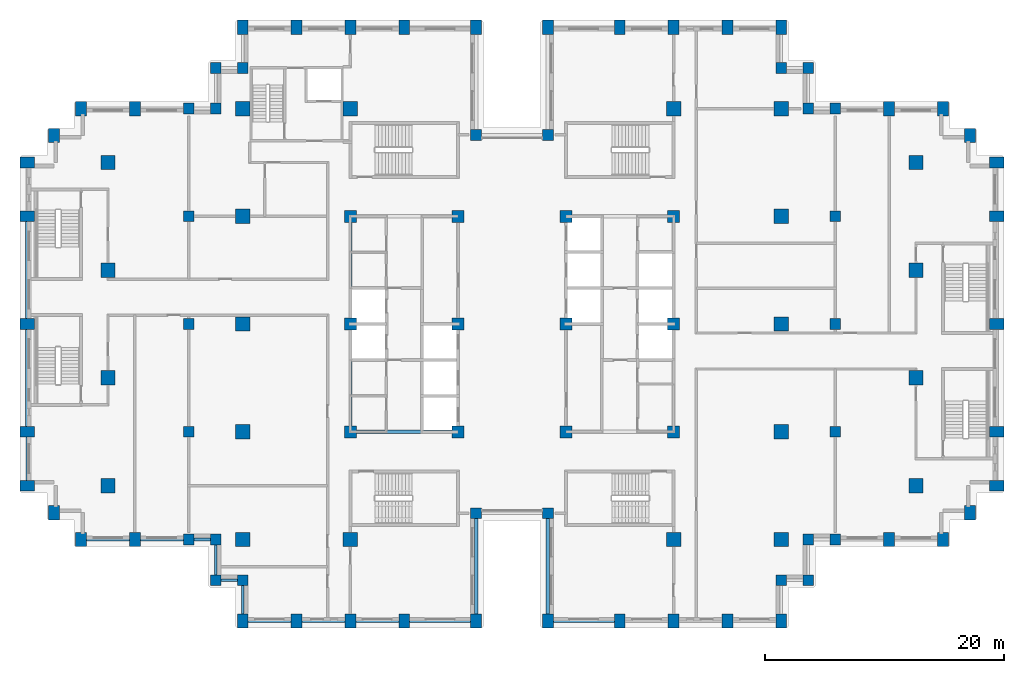
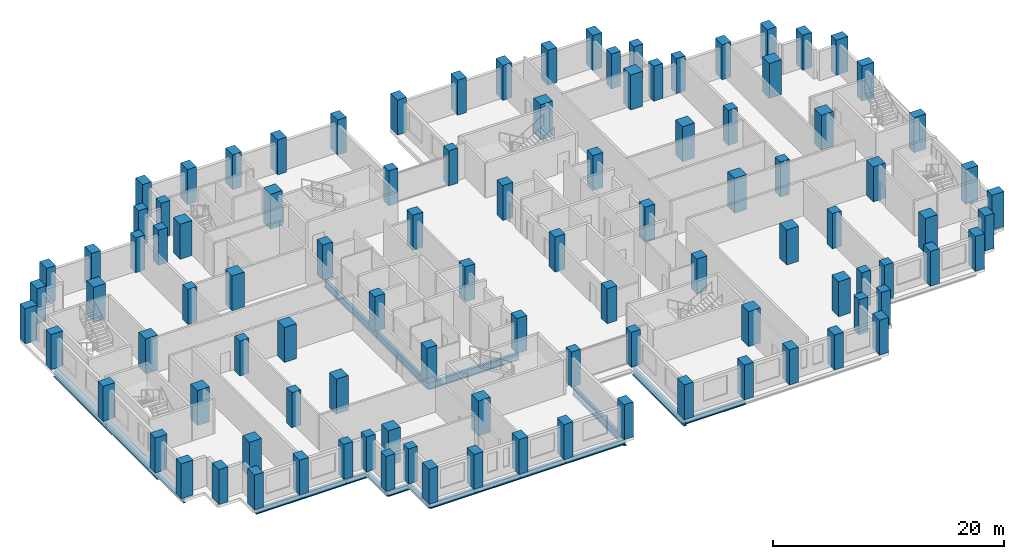
# One storey, part 1 of 15: 102 columns, 19 beams.
"""IFC4 building model written with IfcOpenShell, lengths in metres."""

from ifc_helpers import new_model, si_unit, direction, frame, origin, origin_2d, place, context, subcontext, project, spatial, rectangle, i_section, extrude, material, material_profile, profile_set, type_object, element, save


model = new_model("IFC4")

# Units and contexts
model_context = context("Model", 3, precision=1e-05, world=origin(), true_north=direction((0.0, 1.0)))
body_context = subcontext(model_context, "Body", "Model", "MODEL_VIEW")
ifc_project = project(units=[si_unit("LENGTHUNIT", "METRE"), si_unit("AREAUNIT", "SQUARE_METRE"), si_unit("VOLUMEUNIT", "CUBIC_METRE"), si_unit("PLANEANGLEUNIT", "RADIAN"), si_unit("MASSUNIT", "GRAM", prefix="KILO")], contexts=[model_context])

# Site, building, storey
site_placement = place(None, origin())
site = spatial("IfcSite", under=ifc_project, at=site_placement, CompositionType="ELEMENT")
building_placement = place(site_placement, origin())
building = spatial("IfcBuilding", under=site, at=building_placement, Name="Corbelhall Arena Tower", CompositionType="ELEMENT")
storey_placement = place(building_placement, frame((0.0, 0.0, 88.0)))
storey = spatial("IfcBuildingStorey", under=building, at=storey_placement, Name="L14", CompositionType="ELEMENT", Elevation=88.0)

# Columns
ifc_material_1 = material(Name="Concrete C80/95", Category="concrete")
ifc_material_profile_1 = material_profile(ifc_material_1, rectangle(XDim=1.0, YDim=1.0, at=origin_2d()))
ifc_profile_set_1 = profile_set([ifc_material_profile_1], Name="Concrete C80/95")
column_type_1 = type_object("IfcColumnType", Name="ST-COL-RC 1000x1000", PredefinedType="COLUMN", material=ifc_profile_set_1)
for number, where, z_axis, x_axis, name in (
    (1, (4.5, 0.0, 0.0), (0.0, 0.0, 1.0), (1.0, 0.0, 0.0), "Column KE+0450+0000"),
    (2, (4.5, 9.0, 0.0), (0.0, 0.0, 1.0), (1.0, 0.0, 0.0), "Column KE+0450+0900"),
    (3, (4.5, -9.0, 0.0), (0.0, 0.0, 1.0), (1.0, 0.0, 0.0), "Column KE+0450-0900"),
    (4, (13.5, 0.0, 0.0), (0.0, 0.0, 1.0), (1.0, 0.0, 0.0), "Column KE+1350+0000"),
    (5, (13.5, 9.0, 0.0), (0.0, 0.0, 1.0), (1.0, 0.0, 0.0), "Column KE+1350+0900"),
    (6, (13.5, -9.0, 0.0), (0.0, 0.0, 1.0), (1.0, 0.0, 0.0), "Column KE+1350-0900"),
    (7, (-4.5, 0.0, 0.0), (0.0, 0.0, 1.0), (1.0, 0.0, 0.0), "Column KW-0450+0000"),
    (8, (-4.5, 9.0, 0.0), (0.0, 0.0, 1.0), (1.0, 0.0, 0.0), "Column KW-0450+0900"),
    (9, (-4.5, -9.0, 0.0), (0.0, 0.0, 1.0), (1.0, 0.0, 0.0), "Column KW-0450-0900"),
    (10, (-13.5, 0.0, 0.0), (0.0, 0.0, 1.0), (1.0, 0.0, 0.0), "Column KW-1350+0000"),
    (11, (-13.5, 9.0, 0.0), (0.0, 0.0, 1.0), (1.0, 0.0, 0.0), "Column KW-1350+0900"),
    (12, (-13.5, -9.0, 0.0), (0.0, 0.0, 1.0), (1.0, 0.0, 0.0), "Column KW-1350-0900"),
):
    element("IfcColumn", number, at=place(storey_placement, frame(where, z_axis=z_axis, x_axis=x_axis)), inside=storey, type_object=column_type_1, Name=name, PredefinedType="COLUMN", context=body_context, shape_type="SweptSolid", body=[
        extrude(rectangle(XDim=1.0, YDim=1.0, at=origin_2d()), origin(), (0.0, 0.0, 1.0), 3.699951171875),
    ])
ifc_material_profile_2 = material_profile(ifc_material_1, rectangle(XDim=1.199951171875, YDim=1.199951171875, at=origin_2d()))
ifc_profile_set_2 = profile_set([ifc_material_profile_2], Name="Concrete C80/95")
column_type_2 = type_object("IfcColumnType", Name="ST-COL-RC 1200x1200", PredefinedType="COLUMN", material=ifc_profile_set_2)
for number, where, z_axis, x_axis, name in (
    (13, (-33.75, 4.5, 0.0), (0.0, 0.0, 1.0), (1.0, 0.0, 0.0), "Column FIC+0450"),
    (14, (-33.75, 13.5, 0.0), (0.0, 0.0, 1.0), (1.0, 0.0, 0.0), "Column FIC+1350"),
    (15, (-33.75, -4.5, 0.0), (0.0, 0.0, 1.0), (1.0, 0.0, 0.0), "Column FIC-0450"),
    (16, (-33.75, -13.5, 0.0), (0.0, 0.0, 1.0), (1.0, 0.0, 0.0), "Column FIC-1350"),
    (17, (33.75, 4.5, 0.0), (0.0, 0.0, 1.0), (1.0, 0.0, 0.0), "Column FID+0450"),
    (18, (33.75, 13.5, 0.0), (0.0, 0.0, 1.0), (1.0, 0.0, 0.0), "Column FID+1350"),
    (19, (33.75, -4.5, 0.0), (0.0, 0.0, 1.0), (1.0, 0.0, 0.0), "Column FID-0450"),
    (20, (33.75, -13.5, 0.0), (0.0, 0.0, 1.0), (1.0, 0.0, 0.0), "Column FID-1350"),
    (21, (13.5, 18.0, 0.0), (0.0, 0.0, 1.0), (1.0, 0.0, 0.0), "Column IE13+1800"),
    (22, (13.5, -18.0, 0.0), (0.0, 0.0, 1.0), (1.0, 0.0, 0.0), "Column IE13-1800"),
    (23, (22.5, 0.0, 0.0), (0.0, 0.0, 1.0), (1.0, 0.0, 0.0), "Column IE22+0000"),
    (24, (22.5, 9.0, 0.0), (0.0, 0.0, 1.0), (1.0, 0.0, 0.0), "Column IE22+0900"),
    (25, (22.5, 18.0, 0.0), (0.0, 0.0, 1.0), (1.0, 0.0, 0.0), "Column IE22+1800"),
    (26, (22.5, -9.0, 0.0), (0.0, 0.0, 1.0), (1.0, 0.0, 0.0), "Column IE22-0900"),
    (27, (22.5, -18.0, 0.0), (0.0, 0.0, 1.0), (1.0, 0.0, 0.0), "Column IE22-1800"),
    (28, (-13.5, 18.0, 0.0), (0.0, 0.0, 1.0), (1.0, 0.0, 0.0), "Column IW13+1800"),
    (29, (-13.5, -18.0, 0.0), (0.0, 0.0, 1.0), (1.0, 0.0, 0.0), "Column IW13-1800"),
    (30, (-22.5, 0.0, 0.0), (0.0, 0.0, 1.0), (1.0, 0.0, 0.0), "Column IW22+0000"),
    (31, (-22.5, 9.0, 0.0), (0.0, 0.0, 1.0), (1.0, 0.0, 0.0), "Column IW22+0900"),
    (32, (-22.5, 18.0, 0.0), (0.0, 0.0, 1.0), (1.0, 0.0, 0.0), "Column IW22+1800"),
    (33, (-22.5, -9.0, 0.0), (0.0, 0.0, 1.0), (1.0, 0.0, 0.0), "Column IW22-0900"),
    (34, (-22.5, -18.0, 0.0), (0.0, 0.0, 1.0), (1.0, 0.0, 0.0), "Column IW22-1800"),
):
    element("IfcColumn", number, at=place(storey_placement, frame(where, z_axis=z_axis, x_axis=x_axis)), inside=storey, type_object=column_type_2, Name=name, PredefinedType="COLUMN", context=body_context, shape_type="SweptSolid", body=[
        extrude(rectangle(XDim=1.199951171875, YDim=1.199951171875, at=origin_2d()), origin(), (0.0, 0.0, 1.0), 3.699951171875),
    ])
ifc_material_profile_3 = material_profile(ifc_material_1, rectangle(XDim=0.89990234375, YDim=1.199951171875, at=origin_2d()))
ifc_profile_set_3 = profile_set([ifc_material_profile_3], Name="Concrete C80/95")
column_type_3 = type_object("IfcColumnType", Name="ST-COL-RC 900x1200", PredefinedType="COLUMN", material=ifc_profile_set_3)
for number, where, z_axis, x_axis, name in (
    (35, (-40.5, 0.0, 0.0), (0.0, 0.0, 1.0), (0.0, 1.0, 0.0), "Column FC+0000"),
    (36, (-40.5, 9.0, 0.0), (0.0, 0.0, 1.0), (0.0, 1.0, 0.0), "Column FC+0900"),
    (37, (-40.5, 13.5, 0.0), (0.0, 0.0, 1.0), (0.0, 1.0, 0.0), "Column FC+1350"),
    (38, (-40.5, -9.0, 0.0), (0.0, 0.0, 1.0), (0.0, 1.0, 0.0), "Column FC-0900"),
    (39, (-40.5, -13.5, 0.0), (0.0, 0.0, 1.0), (0.0, 1.0, 0.0), "Column FC-1350"),
    (40, (-38.25, 15.75, 0.0), (0.0, 0.0, 1.0), (1.0, 0.0, 0.0), "Column FCCN"),
    (41, (-38.25, -15.75, 0.0), (0.0, 0.0, 1.0), (1.0, 0.0, 0.0), "Column FCCS"),
    (42, (-31.5, 18.0, 0.0), (0.0, 0.0, 1.0), (1.0, 0.0, 0.0), "Column FCN3150"),
    (43, (-36.0, 18.0, 0.0), (0.0, 0.0, 1.0), (1.0, 0.0, 0.0), "Column FCN3600"),
    (44, (-31.5, -18.0, 0.0), (0.0, 0.0, 1.0), (1.0, 0.0, 0.0), "Column FCS3150"),
    (45, (-36.0, -18.0, 0.0), (0.0, 0.0, 1.0), (1.0, 0.0, 0.0), "Column FCS3600"),
    (46, (40.5, 0.0, 0.0), (0.0, 0.0, 1.0), (0.0, 1.0, 0.0), "Column FD+0000"),
    (47, (40.5, 9.0, 0.0), (0.0, 0.0, 1.0), (0.0, 1.0, 0.0), "Column FD+0900"),
    (48, (40.5, 13.5, 0.0), (0.0, 0.0, 1.0), (0.0, 1.0, 0.0), "Column FD+1350"),
    (49, (40.5, -9.0, 0.0), (0.0, 0.0, 1.0), (0.0, 1.0, 0.0), "Column FD-0900"),
    (50, (40.5, -13.5, 0.0), (0.0, 0.0, 1.0), (0.0, 1.0, 0.0), "Column FD-1350"),
    (51, (38.25, 15.75, 0.0), (0.0, 0.0, 1.0), (1.0, 0.0, 0.0), "Column FDCN"),
    (52, (38.25, -15.75, 0.0), (0.0, 0.0, 1.0), (1.0, 0.0, 0.0), "Column FDCS"),
    (53, (31.5, 18.0, 0.0), (0.0, 0.0, 1.0), (1.0, 0.0, 0.0), "Column FDN3150"),
    (54, (36.0, 18.0, 0.0), (0.0, 0.0, 1.0), (1.0, 0.0, 0.0), "Column FDN3600"),
    (55, (31.5, -18.0, 0.0), (0.0, 0.0, 1.0), (1.0, 0.0, 0.0), "Column FDS3150"),
    (56, (36.0, -18.0, 0.0), (0.0, 0.0, 1.0), (1.0, 0.0, 0.0), "Column FDS3600"),
    (57, (3.0, 24.800048828125, 0.0), (0.0, 0.0, 1.0), (1.0, 0.0, 0.0), "Column PNE0300"),
    (58, (9.0, 24.800048828125, 0.0), (0.0, 0.0, 1.0), (1.0, 0.0, 0.0), "Column PNE0900"),
    (59, (13.5, 24.800048828125, 0.0), (0.0, 0.0, 1.0), (1.0, 0.0, 0.0), "Column PNE1350"),
    (60, (18.0, 24.800048828125, 0.0), (0.0, 0.0, 1.0), (1.0, 0.0, 0.0), "Column PNE1800"),
    (61, (22.5, 24.800048828125, 0.0), (0.0, 0.0, 1.0), (1.0, 0.0, 0.0), "Column PNE2250"),
    (62, (-3.0, 24.800048828125, 0.0), (0.0, 0.0, 1.0), (1.0, 0.0, 0.0), "Column PNW0300"),
    (63, (-9.0, 24.800048828125, 0.0), (0.0, 0.0, 1.0), (1.0, 0.0, 0.0), "Column PNW0900"),
    (64, (-13.5, 24.800048828125, 0.0), (0.0, 0.0, 1.0), (1.0, 0.0, 0.0), "Column PNW1350"),
    (65, (-18.0, 24.800048828125, 0.0), (0.0, 0.0, 1.0), (1.0, 0.0, 0.0), "Column PNW1800"),
    (66, (-22.5, 24.800048828125, 0.0), (0.0, 0.0, 1.0), (1.0, 0.0, 0.0), "Column PNW2250"),
    (67, (3.0, -24.800048828125, 0.0), (0.0, 0.0, 1.0), (1.0, 0.0, 0.0), "Column PSE0300"),
    (68, (9.0, -24.800048828125, 0.0), (0.0, 0.0, 1.0), (1.0, 0.0, 0.0), "Column PSE0900"),
    (69, (13.5, -24.800048828125, 0.0), (0.0, 0.0, 1.0), (1.0, 0.0, 0.0), "Column PSE1350"),
    (70, (18.0, -24.800048828125, 0.0), (0.0, 0.0, 1.0), (1.0, 0.0, 0.0), "Column PSE1800"),
    (71, (22.5, -24.800048828125, 0.0), (0.0, 0.0, 1.0), (1.0, 0.0, 0.0), "Column PSE2250"),
    (72, (-3.0, -24.800048828125, 0.0), (0.0, 0.0, 1.0), (1.0, 0.0, 0.0), "Column PSW0300"),
    (73, (-9.0, -24.800048828125, 0.0), (0.0, 0.0, 1.0), (1.0, 0.0, 0.0), "Column PSW0900"),
    (74, (-13.5, -24.800048828125, 0.0), (0.0, 0.0, 1.0), (1.0, 0.0, 0.0), "Column PSW1350"),
    (75, (-18.0, -24.800048828125, 0.0), (0.0, 0.0, 1.0), (1.0, 0.0, 0.0), "Column PSW1800"),
    (76, (-22.5, -24.800048828125, 0.0), (0.0, 0.0, 1.0), (1.0, 0.0, 0.0), "Column PSW2250"),
):
    element("IfcColumn", number, at=place(storey_placement, frame(where, z_axis=z_axis, x_axis=x_axis)), inside=storey, type_object=column_type_3, Name=name, PredefinedType="COLUMN", context=body_context, shape_type="SweptSolid", body=[
        extrude(rectangle(XDim=0.89990234375, YDim=1.199951171875, at=origin_2d()), origin(), (0.0, 0.0, 1.0), 3.699951171875),
    ])
ifc_material_profile_4 = material_profile(ifc_material_1, rectangle(XDim=0.89990234375, YDim=0.89990234375, at=origin_2d()))
ifc_profile_set_4 = profile_set([ifc_material_profile_4], Name="Concrete C80/95")
column_type_4 = type_object("IfcColumnType", Name="ST-COL-RC 900x900", PredefinedType="COLUMN", material=ifc_profile_set_4)
for number, where, z_axis, x_axis, name in (
    (77, (27.0, 0.0, 0.0), (0.0, 0.0, 1.0), (1.0, 0.0, 0.0), "Column PE+0000"),
    (78, (27.0, 9.0, 0.0), (0.0, 0.0, 1.0), (1.0, 0.0, 0.0), "Column PE+0900"),
    (79, (27.0, 18.0, 0.0), (0.0, 0.0, 1.0), (1.0, 0.0, 0.0), "Column PE+1800"),
    (80, (27.0, -9.0, 0.0), (0.0, 0.0, 1.0), (1.0, 0.0, 0.0), "Column PE-0900"),
    (81, (27.0, -18.0, 0.0), (0.0, 0.0, 1.0), (1.0, 0.0, 0.0), "Column PE-1800"),
    (82, (-27.0, 0.0, 0.0), (0.0, 0.0, 1.0), (1.0, 0.0, 0.0), "Column PW+0000"),
    (83, (-27.0, 9.0, 0.0), (0.0, 0.0, 1.0), (1.0, 0.0, 0.0), "Column PW+0900"),
    (84, (-27.0, 18.0, 0.0), (0.0, 0.0, 1.0), (1.0, 0.0, 0.0), "Column PW+1800"),
    (85, (-27.0, -9.0, 0.0), (0.0, 0.0, 1.0), (1.0, 0.0, 0.0), "Column PW-0900"),
    (86, (-27.0, -18.0, 0.0), (0.0, 0.0, 1.0), (1.0, 0.0, 0.0), "Column PW-1800"),
    (87, (3.0, 15.800048828125, 0.0), (0.0, 0.0, 1.0), (1.0, 0.0, 0.0), "Column SLNE2"),
    (88, (-3.0, 15.800048828125, 0.0), (0.0, 0.0, 1.0), (1.0, 0.0, 0.0), "Column SLNW2"),
    (89, (3.0, -15.800048828125, 0.0), (0.0, 0.0, 1.0), (1.0, 0.0, 0.0), "Column SLSE2"),
    (90, (-3.0, -15.800048828125, 0.0), (0.0, 0.0, 1.0), (1.0, 0.0, 0.0), "Column SLSW2"),
    (91, (22.5, 21.39990234375, 0.0), (0.0, 0.0, 1.0), (1.0, 0.0, 0.0), "Column XNE1"),
    (92, (24.75, 21.39990234375, 0.0), (0.0, 0.0, 1.0), (1.0, 0.0, 0.0), "Column XNE2"),
    (93, (24.75, 18.0, 0.0), (0.0, 0.0, 1.0), (1.0, 0.0, 0.0), "Column XNE3"),
    (94, (-22.5, 21.39990234375, 0.0), (0.0, 0.0, 1.0), (1.0, 0.0, 0.0), "Column XNW1"),
    (95, (-24.75, 21.39990234375, 0.0), (0.0, 0.0, 1.0), (1.0, 0.0, 0.0), "Column XNW2"),
    (96, (-24.75, 18.0, 0.0), (0.0, 0.0, 1.0), (1.0, 0.0, 0.0), "Column XNW3"),
    (97, (22.5, -21.39990234375, 0.0), (0.0, 0.0, 1.0), (1.0, 0.0, 0.0), "Column XSE1"),
    (98, (24.75, -21.39990234375, 0.0), (0.0, 0.0, 1.0), (1.0, 0.0, 0.0), "Column XSE2"),
    (99, (24.75, -18.0, 0.0), (0.0, 0.0, 1.0), (1.0, 0.0, 0.0), "Column XSE3"),
    (100, (-22.5, -21.39990234375, 0.0), (0.0, 0.0, 1.0), (1.0, 0.0, 0.0), "Column XSW1"),
    (101, (-24.75, -21.39990234375, 0.0), (0.0, 0.0, 1.0), (1.0, 0.0, 0.0), "Column XSW2"),
    (102, (-24.75, -18.0, 0.0), (0.0, 0.0, 1.0), (1.0, 0.0, 0.0), "Column XSW3"),
):
    element("IfcColumn", number, at=place(storey_placement, frame(where, z_axis=z_axis, x_axis=x_axis)), inside=storey, type_object=column_type_4, Name=name, PredefinedType="COLUMN", context=body_context, shape_type="SweptSolid", body=[
        extrude(rectangle(XDim=0.89990234375, YDim=0.89990234375, at=origin_2d()), origin(), (0.0, 0.0, 1.0), 3.699951171875),
    ])

# Beams
ifc_material_2 = material(Name="Steel ASTM A992 Gr50", Category="steel")
ifc_material_profile_5 = material_profile(ifc_material_2, i_section(OverallWidth=0.2666015625, OverallDepth=0.761962890625, WebThickness=0.014404296875, FlangeThickness=0.021484375, at=origin_2d()))
ifc_profile_set_5 = profile_set([ifc_material_profile_5], Name="Steel ASTM A992 Gr50")
beam_type_1 = type_object("IfcBeamType", Name="ST-BEAM-W30x116", PredefinedType="BEAM", material=ifc_profile_set_5)
for number, where, z_axis, x_axis, name in (
    (103, (-13.5, -9.0, -0.680908203125), (0.0, 1.0, 0.0), (-1.0, 0.0, 0.0), "Beam CEW 1"),
    (104, (-13.5, 0.0, -0.680908203125), (0.0, 1.0, 0.0), (-1.0, 0.0, 0.0), "Beam CEW 2"),
    (105, (-13.5, -9.0, -0.680908203125), (1.0, 0.0, 0.0), (0.0, 1.0, 0.0), "Beam CEW 5"),
):
    element("IfcBeam", number, at=place(storey_placement, frame(where, z_axis=z_axis, x_axis=x_axis)), inside=storey, type_object=beam_type_1, Name=name, PredefinedType="BEAM", context=body_context, shape_type="SweptSolid", body=[
        extrude(i_section(OverallWidth=0.2666015625, OverallDepth=0.761962890625, WebThickness=0.014404296875, FlangeThickness=0.021484375, at=origin_2d()), origin(), (0.0, 0.0, 1.0), 9.0),
    ])
ifc_material_profile_6 = material_profile(ifc_material_2, i_section(OverallWidth=0.23046875, OverallDepth=0.6171875, WebThickness=0.01318359375, FlangeThickness=0.022216796875, at=origin_2d()))
ifc_profile_set_6 = profile_set([ifc_material_profile_6], Name="Steel ASTM A992 Gr50")
beam_type_2 = type_object("IfcBeamType", Name="ST-SPANDREL-W24x94", PredefinedType="SPANDREL", material=ifc_profile_set_6)
for number, where, z_axis, x_axis, name in (
    (106, (-40.5, -13.5, -0.608642578125), (0.0, 1.0, 0.0), (-1.0, 0.0, 0.0), "Beam SP 4"),
    (107, (-31.5, -18.0, -0.608642578125), (-1.0, 0.0, 0.0), (0.0, -1.0, 0.0), "Beam SP 7"),
):
    element("IfcBeam", number, at=place(storey_placement, frame(where, z_axis=z_axis, x_axis=x_axis)), inside=storey, type_object=beam_type_2, Name=name, PredefinedType="SPANDREL", context=body_context, shape_type="SweptSolid", body=[
        extrude(i_section(OverallWidth=0.23046875, OverallDepth=0.6171875, WebThickness=0.01318359375, FlangeThickness=0.022216796875, at=origin_2d()), origin(), (0.0, 0.0, 1.0), 4.5),
    ])
for number, where, z_axis, x_axis, name in (
    (108, (9.0, -24.800048828125, -0.608642578125), (-1.0, 0.0, 0.0), (0.0, -1.0, 0.0), "Beam SP 28"),
    (109, (-3.0, -24.800048828125, -0.608642578125), (-1.0, 0.0, 0.0), (0.0, -1.0, 0.0), "Beam SP 32"),
):
    element("IfcBeam", number, at=place(storey_placement, frame(where, z_axis=z_axis, x_axis=x_axis)), inside=storey, type_object=beam_type_2, Name=name, PredefinedType="SPANDREL", context=body_context, shape_type="SweptSolid", body=[
        extrude(i_section(OverallWidth=0.23046875, OverallDepth=0.6171875, WebThickness=0.01318359375, FlangeThickness=0.022216796875, at=origin_2d()), origin(), (0.0, 0.0, 1.0), 6.0),
    ])
for number, where, z_axis, x_axis, name in (
    (110, (-9.0, -24.800048828125, -0.608642578125), (-1.0, 0.0, 0.0), (0.0, -1.0, 0.0), "Beam SP 33"),
    (111, (-13.5, -24.800048828125, -0.608642578125), (-1.0, 0.0, 0.0), (0.0, -1.0, 0.0), "Beam SP 34"),
    (112, (-18.0, -24.800048828125, -0.608642578125), (-1.0, 0.0, 0.0), (0.0, -1.0, 0.0), "Beam SP 35"),
):
    element("IfcBeam", number, at=place(storey_placement, frame(where, z_axis=z_axis, x_axis=x_axis)), inside=storey, type_object=beam_type_2, Name=name, PredefinedType="SPANDREL", context=body_context, shape_type="SweptSolid", body=[
        extrude(i_section(OverallWidth=0.23046875, OverallDepth=0.6171875, WebThickness=0.01318359375, FlangeThickness=0.022216796875, at=origin_2d()), origin(), (0.0, 0.0, 1.0), 4.5),
    ])
beam_1_placement = place(storey_placement, frame((-22.5, -24.800048828125, -0.608642578125), z_axis=(0.0, 1.0, 0.0), x_axis=(-1.0, 0.0, 0.0)))
element("IfcBeam", 113, at=beam_1_placement, inside=storey, type_object=beam_type_2, Name="Beam SP 36", PredefinedType="SPANDREL", context=body_context, shape_type="SweptSolid", body=[
    extrude(i_section(OverallWidth=0.23046875, OverallDepth=0.6171875, WebThickness=0.01318359375, FlangeThickness=0.022216796875, at=origin_2d()), origin(), (0.0, 0.0, 1.0), 3.400146484375),
])
beam_2_placement = place(storey_placement, frame((-27.0, -18.0, -0.608642578125), z_axis=(-1.0, 0.0, 0.0), x_axis=(0.0, -1.0, 0.0)))
element("IfcBeam", 114, at=beam_2_placement, inside=storey, type_object=beam_type_2, Name="Beam SP 38", PredefinedType="SPANDREL", context=body_context, shape_type="SweptSolid", body=[
    extrude(i_section(OverallWidth=0.23046875, OverallDepth=0.6171875, WebThickness=0.01318359375, FlangeThickness=0.022216796875, at=origin_2d()), origin(), (0.0, 0.0, 1.0), 4.5),
])
beam_3_placement = place(storey_placement, frame((-22.5, -21.39990234375, -0.608642578125), z_axis=(-1.0, 0.0, 0.0), x_axis=(0.0, -1.0, 0.0)))
element("IfcBeam", 115, at=beam_3_placement, inside=storey, type_object=beam_type_2, Name="Beam SP 52", PredefinedType="SPANDREL", context=body_context, shape_type="SweptSolid", body=[
    extrude(i_section(OverallWidth=0.23046875, OverallDepth=0.6171875, WebThickness=0.01318359375, FlangeThickness=0.022216796875, at=origin_2d()), origin(), (0.0, 0.0, 1.0), 2.25),
])
beam_4_placement = place(storey_placement, frame((-24.75, -21.39990234375, -0.608642578125), z_axis=(0.0, 1.0, 0.0), x_axis=(-1.0, 0.0, 0.0)))
element("IfcBeam", 116, at=beam_4_placement, inside=storey, type_object=beam_type_2, Name="Beam SP 53", PredefinedType="SPANDREL", context=body_context, shape_type="SweptSolid", body=[
    extrude(i_section(OverallWidth=0.23046875, OverallDepth=0.6171875, WebThickness=0.01318359375, FlangeThickness=0.022216796875, at=origin_2d()), origin(), (0.0, 0.0, 1.0), 3.39990234375),
])
beam_5_placement = place(storey_placement, frame((-24.75, -18.0, -0.608642578125), z_axis=(-1.0, 0.0, 0.0), x_axis=(0.0, -1.0, 0.0)))
element("IfcBeam", 117, at=beam_5_placement, inside=storey, type_object=beam_type_2, Name="Beam SP 54", PredefinedType="SPANDREL", context=body_context, shape_type="SweptSolid", body=[
    extrude(i_section(OverallWidth=0.23046875, OverallDepth=0.6171875, WebThickness=0.01318359375, FlangeThickness=0.022216796875, at=origin_2d()), origin(), (0.0, 0.0, 1.0), 2.25),
])
ifc_material_profile_7 = material_profile(ifc_material_2, i_section(OverallWidth=0.2919921875, OverallDepth=0.845703125, WebThickness=0.015380859375, FlangeThickness=0.0244140625, at=origin_2d()))
ifc_profile_set_7 = profile_set([ifc_material_profile_7], Name="Steel ASTM A992 Gr50")
beam_type_3 = type_object("IfcBeamType", Name="ST-SPANDREL-W33x141", PredefinedType="SPANDREL", material=ifc_profile_set_7)
for number, where, z_axis, x_axis, name in (
    (118, (-40.5, 0.0, -0.722900390625), (0.0, 1.0, 0.0), (-1.0, 0.0, 0.0), "Beam SP 1"),
    (119, (-40.5, -9.0, -0.722900390625), (0.0, 1.0, 0.0), (-1.0, 0.0, 0.0), "Beam SP 3"),
    (120, (3.0, -24.800048828125, -0.722900390625), (0.0, 1.0, 0.0), (-1.0, 0.0, 0.0), "Beam SP 27"),
    (121, (-3.0, -15.800048828125, -0.722900390625), (0.0, -1.0, 0.0), (1.0, 0.0, 0.0), "Beam SP 42"),
):
    element("IfcBeam", number, at=place(storey_placement, frame(where, z_axis=z_axis, x_axis=x_axis)), inside=storey, type_object=beam_type_3, Name=name, PredefinedType="SPANDREL", context=body_context, shape_type="SweptSolid", body=[
        extrude(i_section(OverallWidth=0.2919921875, OverallDepth=0.845703125, WebThickness=0.015380859375, FlangeThickness=0.0244140625, at=origin_2d()), origin(), (0.0, 0.0, 1.0), 9.0),
    ])

save(model, "model.ifc")
